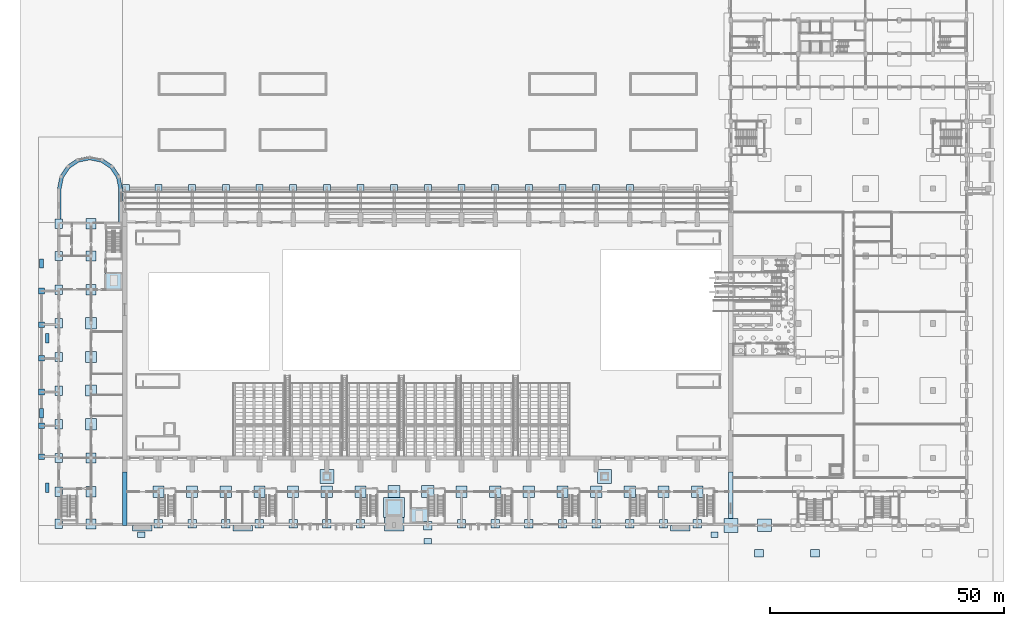
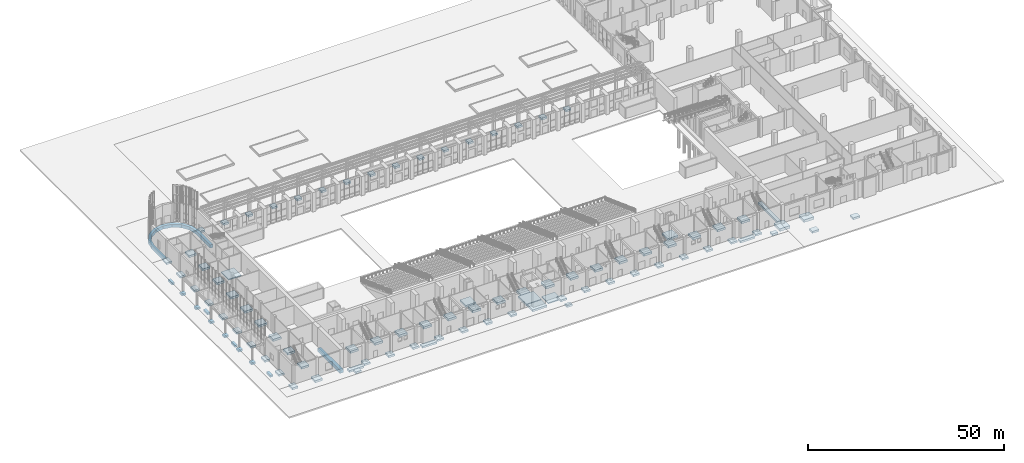
# One storey, part 1 of 70: 98 footings.
"""IFC4 building model written with IfcOpenShell, lengths in metres."""

from ifc_helpers import new_model, si_unit, direction, frame, origin, origin_2d, place, context, subcontext, project, spatial, polyline, rectangle, outline, extrude, material, layer, layer_set, type_object, element, save


model = new_model("IFC4")

# Units and contexts
model_context = context("Model", 3, precision=1e-05, world=origin(), true_north=direction((0.0, 1.0)))
body_context = subcontext(model_context, "Body", "Model", "MODEL_VIEW")
ifc_project = project(units=[si_unit("LENGTHUNIT", "METRE"), si_unit("AREAUNIT", "SQUARE_METRE"), si_unit("VOLUMEUNIT", "CUBIC_METRE"), si_unit("PLANEANGLEUNIT", "RADIAN"), si_unit("MASSUNIT", "GRAM", prefix="KILO")], contexts=[model_context])

# Site, building, storey
site_placement = place(None, origin())
site = spatial("IfcSite", under=ifc_project, at=site_placement, CompositionType="ELEMENT")
building_placement = place(site_placement, origin())
building = spatial("IfcBuilding", under=site, at=building_placement, Name="Vermilion Court Aquatics Centre", CompositionType="ELEMENT")
storey_placement = place(building_placement, origin())
storey = spatial("IfcBuildingStorey", under=building, at=storey_placement, Name="L00", CompositionType="ELEMENT", Elevation=0.0)

# Footings
ifc_material_1 = material(Name="Concrete 5000 psi", Category="concrete")
ifc_layer_1 = layer(ifc_material_1, 0.60009765625)
ifc_layer_set_1 = layer_set([ifc_layer_1], Name="Court arcade pad footing 1500")
footing_type_1 = type_object("IfcFootingType", Name="Court arcade pad footing 1500", PredefinedType="PAD_FOOTING", material=ifc_layer_set_1)
footing_1_placement = place(storey_placement, frame((0.0, 0.0, -1.050048828125)))
element("IfcFooting", 1, at=footing_1_placement, inside=storey, type_object=footing_type_1, Name="Court arcade pad footing 1", PredefinedType="PAD_FOOTING", context=body_context, shape_type="SweptSolid", body=[
    extrude(outline(polyline([(13.89990234375, 71.35009765625), (15.39990234375, 71.35009765625), (15.39990234375, 72.85009765625), (13.89990234375, 72.85009765625), (13.89990234375, 71.35009765625)])), origin(), (0.0, 0.0, 1.0), 0.60009765625),
])
footing_2_placement = place(storey_placement, frame((0.0, 0.0, -1.050048828125)))
element("IfcFooting", 2, at=footing_2_placement, inside=storey, type_object=footing_type_1, Name="Court arcade pad footing 2", PredefinedType="PAD_FOOTING", context=body_context, shape_type="SweptSolid", body=[
    extrude(outline(polyline([(20.85009765625, 71.35009765625), (22.35009765625, 71.35009765625), (22.35009765625, 72.85009765625), (20.85009765625, 72.85009765625), (20.85009765625, 71.35009765625)])), origin(), (0.0, 0.0, 1.0), 0.60009765625),
])
footing_3_placement = place(storey_placement, frame((0.0, 0.0, -1.050048828125)))
element("IfcFooting", 3, at=footing_3_placement, inside=storey, type_object=footing_type_1, Name="Court arcade pad footing 3", PredefinedType="PAD_FOOTING", context=body_context, shape_type="SweptSolid", body=[
    extrude(outline(polyline([(28.050048828125, 71.35009765625), (29.550048828125, 71.35009765625), (29.550048828125, 72.85009765625), (28.050048828125, 72.85009765625), (28.050048828125, 71.35009765625)])), origin(), (0.0, 0.0, 1.0), 0.60009765625),
])
footing_4_placement = place(storey_placement, frame((0.0, 0.0, -1.050048828125)))
element("IfcFooting", 4, at=footing_4_placement, inside=storey, type_object=footing_type_1, Name="Court arcade pad footing 4", PredefinedType="PAD_FOOTING", context=body_context, shape_type="SweptSolid", body=[
    extrude(outline(polyline([(35.25, 71.35009765625), (36.75, 71.35009765625), (36.75, 72.85009765625), (35.25, 72.85009765625), (35.25, 71.35009765625)])), origin(), (0.0, 0.0, 1.0), 0.60009765625),
])
footing_5_placement = place(storey_placement, frame((0.0, 0.0, -1.050048828125)))
element("IfcFooting", 5, at=footing_5_placement, inside=storey, type_object=footing_type_1, Name="Court arcade pad footing 5", PredefinedType="PAD_FOOTING", context=body_context, shape_type="SweptSolid", body=[
    extrude(outline(polyline([(42.449951171875, 71.35009765625), (43.949951171875, 71.35009765625), (43.949951171875, 72.85009765625), (42.449951171875, 72.85009765625), (42.449951171875, 71.35009765625)])), origin(), (0.0, 0.0, 1.0), 0.60009765625),
])
footing_6_placement = place(storey_placement, frame((0.0, 0.0, -1.050048828125)))
element("IfcFooting", 6, at=footing_6_placement, inside=storey, type_object=footing_type_1, Name="Court arcade pad footing 6", PredefinedType="PAD_FOOTING", context=body_context, shape_type="SweptSolid", body=[
    extrude(outline(polyline([(49.64990234375, 71.35009765625), (51.14990234375, 71.35009765625), (51.14990234375, 72.85009765625), (49.64990234375, 72.85009765625), (49.64990234375, 71.35009765625)])), origin(), (0.0, 0.0, 1.0), 0.60009765625),
])
footing_7_placement = place(storey_placement, frame((0.0, 0.0, -1.050048828125)))
element("IfcFooting", 7, at=footing_7_placement, inside=storey, type_object=footing_type_1, Name="Court arcade pad footing 7", PredefinedType="PAD_FOOTING", context=body_context, shape_type="SweptSolid", body=[
    extrude(outline(polyline([(56.85009765625, 71.35009765625), (58.35009765625, 71.35009765625), (58.35009765625, 72.85009765625), (56.85009765625, 72.85009765625), (56.85009765625, 71.35009765625)])), origin(), (0.0, 0.0, 1.0), 0.60009765625),
])
footing_8_placement = place(storey_placement, frame((0.0, 0.0, -1.050048828125)))
element("IfcFooting", 8, at=footing_8_placement, inside=storey, type_object=footing_type_1, Name="Court arcade pad footing 8", PredefinedType="PAD_FOOTING", context=body_context, shape_type="SweptSolid", body=[
    extrude(outline(polyline([(64.050048828125, 71.35009765625), (65.550048828125, 71.35009765625), (65.550048828125, 72.85009765625), (64.050048828125, 72.85009765625), (64.050048828125, 71.35009765625)])), origin(), (0.0, 0.0, 1.0), 0.60009765625),
])
footing_9_placement = place(storey_placement, frame((0.0, 0.0, -1.050048828125)))
element("IfcFooting", 9, at=footing_9_placement, inside=storey, type_object=footing_type_1, Name="Court arcade pad footing 9", PredefinedType="PAD_FOOTING", context=body_context, shape_type="SweptSolid", body=[
    extrude(outline(polyline([(71.25, 71.35009765625), (72.75, 71.35009765625), (72.75, 72.85009765625), (71.25, 72.85009765625), (71.25, 71.35009765625)])), origin(), (0.0, 0.0, 1.0), 0.60009765625),
])
footing_10_placement = place(storey_placement, frame((0.0, 0.0, -1.050048828125)))
element("IfcFooting", 10, at=footing_10_placement, inside=storey, type_object=footing_type_1, Name="Court arcade pad footing 10", PredefinedType="PAD_FOOTING", context=body_context, shape_type="SweptSolid", body=[
    extrude(outline(polyline([(78.449951171875, 71.35009765625), (79.949951171875, 71.35009765625), (79.949951171875, 72.85009765625), (78.449951171875, 72.85009765625), (78.449951171875, 71.35009765625)])), origin(), (0.0, 0.0, 1.0), 0.60009765625),
])
footing_11_placement = place(storey_placement, frame((0.0, 0.0, -1.050048828125)))
element("IfcFooting", 11, at=footing_11_placement, inside=storey, type_object=footing_type_1, Name="Court arcade pad footing 11", PredefinedType="PAD_FOOTING", context=body_context, shape_type="SweptSolid", body=[
    extrude(outline(polyline([(85.64990234375, 71.35009765625), (87.14990234375, 71.35009765625), (87.14990234375, 72.85009765625), (85.64990234375, 72.85009765625), (85.64990234375, 71.35009765625)])), origin(), (0.0, 0.0, 1.0), 0.60009765625),
])
footing_12_placement = place(storey_placement, frame((0.0, 0.0, -1.050048828125)))
element("IfcFooting", 12, at=footing_12_placement, inside=storey, type_object=footing_type_1, Name="Court arcade pad footing 12", PredefinedType="PAD_FOOTING", context=body_context, shape_type="SweptSolid", body=[
    extrude(outline(polyline([(92.85009765625, 71.35009765625), (94.35009765625, 71.35009765625), (94.35009765625, 72.85009765625), (92.85009765625, 72.85009765625), (92.85009765625, 71.35009765625)])), origin(), (0.0, 0.0, 1.0), 0.60009765625),
])
footing_13_placement = place(storey_placement, frame((0.0, 0.0, -1.050048828125)))
element("IfcFooting", 13, at=footing_13_placement, inside=storey, type_object=footing_type_1, Name="Court arcade pad footing 13", PredefinedType="PAD_FOOTING", context=body_context, shape_type="SweptSolid", body=[
    extrude(outline(polyline([(100.050048828125, 71.35009765625), (101.550048828125, 71.35009765625), (101.550048828125, 72.85009765625), (100.050048828125, 72.85009765625), (100.050048828125, 71.35009765625)])), origin(), (0.0, 0.0, 1.0), 0.60009765625),
])
footing_14_placement = place(storey_placement, frame((0.0, 0.0, -1.050048828125)))
element("IfcFooting", 14, at=footing_14_placement, inside=storey, type_object=footing_type_1, Name="Court arcade pad footing 14", PredefinedType="PAD_FOOTING", context=body_context, shape_type="SweptSolid", body=[
    extrude(outline(polyline([(107.25, 71.35009765625), (108.75, 71.35009765625), (108.75, 72.85009765625), (107.25, 72.85009765625), (107.25, 71.35009765625)])), origin(), (0.0, 0.0, 1.0), 0.60009765625),
])
footing_15_placement = place(storey_placement, frame((0.0, 0.0, -1.050048828125)))
element("IfcFooting", 15, at=footing_15_placement, inside=storey, type_object=footing_type_1, Name="Court arcade pad footing 15", PredefinedType="PAD_FOOTING", context=body_context, shape_type="SweptSolid", body=[
    extrude(outline(polyline([(114.449951171875, 71.35009765625), (115.949951171875, 71.35009765625), (115.949951171875, 72.85009765625), (114.449951171875, 72.85009765625), (114.449951171875, 71.35009765625)])), origin(), (0.0, 0.0, 1.0), 0.60009765625),
])
footing_16_placement = place(storey_placement, frame((0.0, 0.0, -1.050048828125)))
element("IfcFooting", 16, at=footing_16_placement, inside=storey, type_object=footing_type_1, Name="Court arcade pad footing 16", PredefinedType="PAD_FOOTING", context=body_context, shape_type="SweptSolid", body=[
    extrude(outline(polyline([(121.64990234375, 71.35009765625), (123.14990234375, 71.35009765625), (123.14990234375, 72.85009765625), (121.64990234375, 72.85009765625), (121.64990234375, 71.35009765625)])), origin(), (0.0, 0.0, 1.0), 0.60009765625),
])
ifc_material_2 = material(Name="Concrete 5000 psi", Category="concrete")
ifc_layer_2 = layer(ifc_material_2, 0.60009765625)
ifc_layer_set_2 = layer_set([ifc_layer_2], Name="Foyer canopy pad footing 1200")
footing_type_2 = type_object("IfcFootingType", Name="Foyer canopy pad footing 1200", PredefinedType="PAD_FOOTING", material=ifc_layer_set_2)
for number, where, z_axis, x_axis, name in (
    (17, (-3.39990234375, 14.699951171875, -1.050048828125), (0.0, 0.0, 1.0), (1.0, 0.0, 0.0), "Foyer canopy pad footing"),
    (18, (-3.39990234375, 21.300048828125, -1.050048828125), (0.0, 0.0, 1.0), (1.0, 0.0, 0.0), "Foyer canopy pad footing"),
    (19, (-3.39990234375, 28.5, -1.050048828125), (0.0, 0.0, 1.0), (1.0, 0.0, 0.0), "Foyer canopy pad footing"),
    (20, (-3.39990234375, 35.699951171875, -1.050048828125), (0.0, 0.0, 1.0), (1.0, 0.0, 0.0), "Foyer canopy pad footing"),
    (21, (-3.39990234375, 42.89990234375, -1.050048828125), (0.0, 0.0, 1.0), (1.0, 0.0, 0.0), "Foyer canopy pad footing"),
    (22, (-3.39990234375, 50.10009765625, -1.050048828125), (0.0, 0.0, 1.0), (1.0, 0.0, 0.0), "Foyer canopy pad footing"),
):
    element("IfcFooting", number, at=place(storey_placement, frame(where, z_axis=z_axis, x_axis=x_axis)), inside=storey, type_object=footing_type_2, Name=name, PredefinedType="PAD_FOOTING", context=body_context, shape_type="SweptSolid", body=[
        extrude(rectangle(XDim=1.199951171875, YDim=1.199951171875, at=origin_2d()), origin(), (0.0, 0.0, 1.0), 0.60009765625),
    ])
ifc_material_3 = material(Name="Concrete 5000 psi", Category="concrete")
ifc_layer_3 = layer(ifc_material_3, 1.0)
ifc_layer_set_3 = layer_set([ifc_layer_3], Name="Foyer end wall footing 1000")
footing_type_3 = type_object("IfcFootingType", Name="Foyer end wall footing 1000", PredefinedType="STRIP_FOOTING", material=ifc_layer_set_3)
footing_17_placement = place(storey_placement, frame((14.39990234375, 5.699951171875, -1.405029296875), z_axis=(0.0, 0.0, 1.0), x_axis=(1.0, 0.0, 0.0)))
element("IfcFooting", 23, at=footing_17_placement, inside=storey, type_object=footing_type_3, Name="Foyer end wall footing", PredefinedType="STRIP_FOOTING", context=body_context, shape_type="SweptSolid", body=[
    extrude(rectangle(XDim=1.0, YDim=11.39990234375, at=origin_2d()), origin(), (0.0, 0.0, 1.0), 1.0),
])
ifc_material_4 = material(Name="Concrete 5000 psi", Category="concrete")
ifc_layer_4 = layer(ifc_material_4, 0.60009765625)
ifc_layer_set_4 = layer_set([ifc_layer_4], Name="Foyer facade pad footing 1600")
footing_type_4 = type_object("IfcFootingType", Name="Foyer facade pad footing 1600", PredefinedType="PAD_FOOTING", material=ifc_layer_set_4)
for number, where, z_axis, x_axis, name in (
    (24, (0.300048828125, 0.300048828125, -1.050048828125), (0.0, 0.0, 1.0), (1.0, 0.0, 0.0), "Foyer pad footing 1"),
    (25, (0.300048828125, 7.199951171875, -1.050048828125), (0.0, 0.0, 1.0), (1.0, 0.0, 0.0), "Foyer pad footing 2"),
    (26, (0.300048828125, 14.39990234375, -1.050048828125), (0.0, 0.0, 1.0), (1.0, 0.0, 0.0), "Foyer pad footing 3"),
    (27, (0.300048828125, 21.60009765625, -1.050048828125), (0.0, 0.0, 1.0), (1.0, 0.0, 0.0), "Foyer pad footing 4"),
    (28, (0.300048828125, 28.800048828125, -1.050048828125), (0.0, 0.0, 1.0), (1.0, 0.0, 0.0), "Foyer pad footing 5"),
    (29, (0.300048828125, 36.0, -1.050048828125), (0.0, 0.0, 1.0), (1.0, 0.0, 0.0), "Foyer pad footing 6"),
    (30, (0.300048828125, 43.199951171875, -1.050048828125), (0.0, 0.0, 1.0), (1.0, 0.0, 0.0), "Foyer pad footing 7"),
    (31, (0.300048828125, 50.39990234375, -1.050048828125), (0.0, 0.0, 1.0), (1.0, 0.0, 0.0), "Foyer pad footing 8"),
    (32, (0.300048828125, 57.60009765625, -1.050048828125), (0.0, 0.0, 1.0), (1.0, 0.0, 0.0), "Foyer pad footing 9"),
    (33, (0.300048828125, 64.5, -1.050048828125), (0.0, 0.0, 1.0), (1.0, 0.0, 0.0), "Foyer pad footing 10"),
):
    element("IfcFooting", number, at=place(storey_placement, frame(where, z_axis=z_axis, x_axis=x_axis)), inside=storey, type_object=footing_type_4, Name=name, PredefinedType="PAD_FOOTING", context=body_context, shape_type="SweptSolid", body=[
        extrude(rectangle(XDim=1.60009765625, YDim=2.0, at=origin_2d()), origin(), (0.0, 0.0, 1.0), 0.60009765625),
    ])
ifc_material_5 = material(Name="Concrete 5000 psi", Category="concrete")
ifc_layer_5 = layer(ifc_material_5, 0.64990234375)
ifc_layer_set_5 = layer_set([ifc_layer_5], Name="Foyer interior pad footing 2200")
footing_type_5 = type_object("IfcFootingType", Name="Foyer interior pad footing 2200", PredefinedType="PAD_FOOTING", material=ifc_layer_set_5)
for number, where, z_axis, x_axis, name in (
    (34, (7.199951171875, 0.300048828125, -1.099853515625), (0.0, 0.0, 1.0), (1.0, 0.0, 0.0), "Foyer pad footing 11"),
    (35, (7.199951171875, 7.199951171875, -1.054931640625), (0.0, 0.0, 1.0), (1.0, 0.0, 0.0), "Foyer pad footing 12"),
    (36, (7.199951171875, 14.39990234375, -1.054931640625), (0.0, 0.0, 1.0), (1.0, 0.0, 0.0), "Foyer pad footing 13"),
    (37, (7.199951171875, 50.39990234375, -1.054931640625), (0.0, 0.0, 1.0), (1.0, 0.0, 0.0), "Foyer pad footing 18"),
    (38, (7.199951171875, 57.60009765625, -1.054931640625), (0.0, 0.0, 1.0), (1.0, 0.0, 0.0), "Foyer pad footing 19"),
    (39, (7.199951171875, 64.5, -1.099853515625), (0.0, 0.0, 1.0), (1.0, 0.0, 0.0), "Foyer pad footing 20"),
):
    element("IfcFooting", number, at=place(storey_placement, frame(where, z_axis=z_axis, x_axis=x_axis)), inside=storey, type_object=footing_type_5, Name=name, PredefinedType="PAD_FOOTING", context=body_context, shape_type="SweptSolid", body=[
        extrude(rectangle(XDim=2.199951171875, YDim=2.199951171875, at=origin_2d()), origin(), (0.0, 0.0, 1.0), 0.64990234375),
    ])
ifc_material_6 = material(Name="Concrete 5000 psi", Category="concrete")
ifc_layer_6 = layer(ifc_material_6, 0.300048828125)
ifc_layer_set_6 = layer_set([ifc_layer_6], Name="Foyer lift pit raft 300")
footing_type_6 = type_object("IfcFootingType", Name="Foyer lift pit raft 300", PredefinedType="FOOTING_BEAM", material=ifc_layer_set_6)
footing_18_placement = place(storey_placement, frame((12.0, 52.14990234375, -1.5), z_axis=(0.0, 0.0, 1.0), x_axis=(1.0, 0.0, 0.0)))
element("IfcFooting", 40, at=footing_18_placement, inside=storey, type_object=footing_type_6, Name="Foyer lift pit raft", PredefinedType="FOOTING_BEAM", context=body_context, shape_type="SweptSolid", body=[
    extrude(rectangle(XDim=3.75, YDim=3.85009765625, at=origin_2d()), origin(), (0.0, 0.0, 1.0), 0.300048828125),
])
ifc_material_7 = material(Name="Concrete 5000 psi", Category="concrete")
ifc_layer_7 = layer(ifc_material_7, 0.60009765625)
ifc_layer_set_7 = layer_set([ifc_layer_7], Name="Foyer pad footing 2000")
footing_type_7 = type_object("IfcFootingType", Name="Foyer pad footing 2000", PredefinedType="PAD_FOOTING", material=ifc_layer_set_7)
for number, where, z_axis, x_axis, name in (
    (41, (-2.199951171875, 8.0, -1.050048828125), (0.0, 0.0, 1.0), (1.0, 0.0, 0.0), "Plaza sub-base pad 1"),
    (42, (-3.39990234375, 24.0, -1.050048828125), (0.0, 0.0, 1.0), (1.0, 0.0, 0.0), "Plaza sub-base pad 2"),
    (43, (-2.199951171875, 40.0, -1.050048828125), (0.0, 0.0, 1.0), (1.0, 0.0, 0.0), "Plaza sub-base pad 3"),
    (44, (-3.39990234375, 56.0, -1.050048828125), (0.0, 0.0, 1.0), (1.0, 0.0, 0.0), "Plaza sub-base pad 4"),
):
    element("IfcFooting", number, at=place(storey_placement, frame(where, z_axis=z_axis, x_axis=x_axis)), inside=storey, type_object=footing_type_7, Name=name, PredefinedType="PAD_FOOTING", context=body_context, shape_type="SweptSolid", body=[
        extrude(rectangle(XDim=0.800048828125, YDim=2.0, at=origin_2d()), origin(), (0.0, 0.0, 1.0), 0.60009765625),
    ])
ifc_material_8 = material(Name="Concrete 5000 psi", Category="concrete")
ifc_layer_8 = layer(ifc_material_8, 0.64990234375)
ifc_layer_set_8 = layer_set([ifc_layer_8], Name="Foyer void edge pad footing 2400")
footing_type_8 = type_object("IfcFootingType", Name="Foyer void edge pad footing 2400", PredefinedType="PAD_FOOTING", material=ifc_layer_set_8)
for number, where, z_axis, x_axis, name in (
    (45, (7.199951171875, 21.60009765625, -1.054931640625), (0.0, 0.0, 1.0), (1.0, 0.0, 0.0), "Foyer pad footing 14"),
    (46, (7.199951171875, 28.800048828125, -1.054931640625), (0.0, 0.0, 1.0), (1.0, 0.0, 0.0), "Foyer pad footing 15"),
    (47, (7.199951171875, 36.0, -1.054931640625), (0.0, 0.0, 1.0), (1.0, 0.0, 0.0), "Foyer pad footing 16"),
    (48, (7.199951171875, 43.199951171875, -1.054931640625), (0.0, 0.0, 1.0), (1.0, 0.0, 0.0), "Foyer pad footing 17"),
):
    element("IfcFooting", number, at=place(storey_placement, frame(where, z_axis=z_axis, x_axis=x_axis)), inside=storey, type_object=footing_type_8, Name=name, PredefinedType="PAD_FOOTING", context=body_context, shape_type="SweptSolid", body=[
        extrude(rectangle(XDim=2.39990234375, YDim=2.39990234375, at=origin_2d()), origin(), (0.0, 0.0, 1.0), 0.64990234375),
    ])
ifc_material_9 = material(Name="Concrete 5000 psi", Category="concrete")
ifc_layer_9 = layer(ifc_material_9, 0.60009765625)
ifc_layer_set_9 = layer_set([ifc_layer_9], Name="Podium apron sub-base pad 2000x1600x600")
footing_type_9 = type_object("IfcFootingType", Name="Podium apron sub-base pad 2000x1600x600", PredefinedType="PAD_FOOTING", material=ifc_layer_set_9)
for number, where, z_axis, x_axis, name in (
    (49, (150.0, -6.0, -0.97998046875), (0.0, 0.0, 1.0), (1.0, 0.0, 0.0), "Apron sub-base pad 1"),
    (50, (162.0, -6.0, -0.97998046875), (0.0, 0.0, 1.0), (1.0, 0.0, 0.0), "Apron sub-base pad 2"),
):
    element("IfcFooting", number, at=place(storey_placement, frame(where, z_axis=z_axis, x_axis=x_axis)), inside=storey, type_object=footing_type_9, Name=name, PredefinedType="PAD_FOOTING", context=body_context, shape_type="SweptSolid", body=[
        extrude(rectangle(XDim=2.0, YDim=1.60009765625, at=origin_2d()), origin(), (0.0, 0.0, 1.0), 0.60009765625),
    ])
ifc_material_10 = material(Name="Concrete 5000 psi", Category="concrete")
ifc_layer_10 = layer(ifc_material_10, 0.800048828125)
ifc_layer_set_10 = layer_set([ifc_layer_10], Name="Podium pad footing 3000x2600x800")
footing_type_10 = type_object("IfcFootingType", Name="Podium pad footing 3000x2600x800", PredefinedType="PAD_FOOTING", material=ifc_layer_set_10)
footing_19_placement = place(storey_placement, frame((151.199951171875, 0.0, -1.18017578125), z_axis=(0.0, 0.0, 1.0), x_axis=(1.0, 0.0, 0.0)))
element("IfcFooting", 51, at=footing_19_placement, inside=storey, type_object=footing_type_10, Name="Pad footing 22/A", PredefinedType="PAD_FOOTING", context=body_context, shape_type="SweptSolid", body=[
    extrude(rectangle(XDim=3.0, YDim=2.60009765625, at=origin_2d()), origin(), (0.0, 0.0, 1.0), 0.800048828125),
])
ifc_material_11 = material(Name="Concrete 5000 psi", Category="concrete")
ifc_layer_11 = layer(ifc_material_11, 0.800048828125)
ifc_layer_set_11 = layer_set([ifc_layer_11], Name="Podium pad footing 3000x3000x800")
footing_type_11 = type_object("IfcFootingType", Name="Podium pad footing 3000x3000x800", PredefinedType="PAD_FOOTING", material=ifc_layer_set_11)
footing_20_placement = place(storey_placement, frame((144.0, 0.0, -1.2998046875), z_axis=(0.0, 0.0, 1.0), x_axis=(1.0, 0.0, 0.0)))
element("IfcFooting", 52, at=footing_20_placement, inside=storey, type_object=footing_type_11, Name="Pad footing 21/A", PredefinedType="PAD_FOOTING", context=body_context, shape_type="SweptSolid", body=[
    extrude(rectangle(XDim=3.0, YDim=3.0, at=origin_2d()), origin(), (0.0, 0.0, 1.0), 0.800048828125),
])
ifc_material_12 = material(Name="Concrete 5000 psi", Category="concrete")
ifc_layer_12 = layer(ifc_material_12, 0.60009765625)
ifc_layer_set_12 = layer_set([ifc_layer_12], Name="Podium strip footing 1000x600")
footing_type_12 = type_object("IfcFootingType", Name="Podium strip footing 1000x600", PredefinedType="STRIP_FOOTING", material=ifc_layer_set_12)
footing_21_placement = place(storey_placement, frame((144.0, 6.449951171875, -0.97998046875), z_axis=(0.0, 0.0, 1.0), x_axis=(1.0, 0.0, 0.0)))
element("IfcFooting", 53, at=footing_21_placement, inside=storey, type_object=footing_type_12, Name="Strip footing, wing west end wall", PredefinedType="STRIP_FOOTING", context=body_context, shape_type="SweptSolid", body=[
    extrude(rectangle(XDim=1.0, YDim=9.89990234375, at=origin_2d()), origin(), (0.0, 0.0, 1.0), 0.60009765625),
])
ifc_material_13 = material(Name="Concrete 5000 psi", Category="concrete")
ifc_layer_13 = layer(ifc_material_13, 1.0)
ifc_layer_set_13 = layer_set([ifc_layer_13], Name="Rotunda wall footing 800")
footing_type_13 = type_object("IfcFootingType", Name="Rotunda wall footing 800", PredefinedType="STRIP_FOOTING", material=ifc_layer_set_13)
footing_22_placement = place(storey_placement, frame((0.0, 0.0, -1.405029296875)))
element("IfcFooting", 54, at=footing_22_placement, inside=storey, type_object=footing_type_13, Name="Rotunda wall footing", PredefinedType="STRIP_FOOTING", context=body_context, shape_type="SweptSolid", body=[
    extrude(outline(polyline([(13.10009765625, 64.800048828125), (13.10009765625, 71.9501953125), (12.61767578125, 74.346923828125), (11.28759765625, 76.337646484375), (9.297607421875, 77.66748046875), (6.949951171875, 78.13427734375), (4.6025390625, 77.66748046875), (2.6123046875, 76.337646484375), (1.2822265625, 74.346923828125), (0.800048828125, 71.9501953125), (0.800048828125, 65.5), (0.0, 65.5), (0.0, 72.0), (0.529052734375, 74.65966796875), (2.03564453125, 76.914306640625), (4.290283203125, 78.4208984375), (6.949951171875, 78.949951171875), (9.609619140625, 78.4208984375), (11.864501953125, 76.914306640625), (13.37109375, 74.65966796875), (13.89990234375, 72.0), (13.89990234375, 64.800048828125), (13.10009765625, 64.800048828125)])), origin(), (0.0, 0.0, 1.0), 1.0),
])
ifc_material_14 = material(Name="Concrete 5000 psi", Category="concrete")
ifc_layer_14 = layer(ifc_material_14, 0.60009765625)
ifc_layer_set_14 = layer_set([ifc_layer_14], Name="South bay pad footing 4200x1200")
footing_type_14 = type_object("IfcFootingType", Name="South bay pad footing 4200x1200", PredefinedType="PAD_FOOTING", material=ifc_layer_set_14)
for number, where, z_axis, x_axis, name in (
    (55, (18.113037109375, -0.60009765625, -1.10009765625), (0.0, 0.0, 1.0), (1.0, 0.0, 0.0), "South bay pad footing"),
    (56, (39.60009765625, -0.60009765625, -1.10009765625), (0.0, 0.0, 1.0), (1.0, 0.0, 0.0), "South bay pad footing"),
    (57, (133.199951171875, -0.60009765625, -1.10009765625), (0.0, 0.0, 1.0), (1.0, 0.0, 0.0), "South bay pad footing"),
):
    element("IfcFooting", number, at=place(storey_placement, frame(where, z_axis=z_axis, x_axis=x_axis)), inside=storey, type_object=footing_type_14, Name=name, PredefinedType="PAD_FOOTING", context=body_context, shape_type="SweptSolid", body=[
        extrude(rectangle(XDim=4.199951171875, YDim=1.199951171875, at=origin_2d()), origin(), (0.0, 0.0, 1.0), 0.60009765625),
    ])
ifc_material_15 = material(Name="Concrete 5000 psi", Category="concrete")
ifc_layer_15 = layer(ifc_material_15, 0.60009765625)
ifc_layer_set_15 = layer_set([ifc_layer_15], Name="South chimney breast pad footing 4200x2900")
footing_type_15 = type_object("IfcFootingType", Name="South chimney breast pad footing 4200x2900", PredefinedType="PAD_FOOTING", material=ifc_layer_set_15)
footing_23_placement = place(storey_placement, frame((72.0, 0.25, -1.10009765625), z_axis=(0.0, 0.0, 1.0), x_axis=(1.0, 0.0, 0.0)))
element("IfcFooting", 58, at=footing_23_placement, inside=storey, type_object=footing_type_15, Name="Chimney breast pad footing", PredefinedType="PAD_FOOTING", context=body_context, shape_type="SweptSolid", body=[
    extrude(rectangle(XDim=4.199951171875, YDim=2.89990234375, at=origin_2d()), origin(), (0.0, 0.0, 1.0), 0.60009765625),
])
ifc_material_16 = material(Name="Concrete 5000 psi", Category="concrete")
ifc_layer_16 = layer(ifc_material_16, 0.60009765625)
ifc_layer_set_16 = layer_set([ifc_layer_16], Name="South facade pad footing 1800")
footing_type_16 = type_object("IfcFootingType", Name="South facade pad footing 1800", PredefinedType="PAD_FOOTING", material=ifc_layer_set_16)
for number, where, z_axis, x_axis, name in (
    (59, (21.60009765625, 0.300048828125, -1.050048828125), (0.0, 0.0, 1.0), (1.0, 0.0, 0.0), "Pad footing A1"),
    (60, (28.800048828125, 0.300048828125, -1.050048828125), (0.0, 0.0, 1.0), (1.0, 0.0, 0.0), "Pad footing A2"),
    (61, (36.0, 0.300048828125, -1.050048828125), (0.0, 0.0, 1.0), (1.0, 0.0, 0.0), "Pad footing A3"),
    (62, (43.199951171875, 0.300048828125, -1.050048828125), (0.0, 0.0, 1.0), (1.0, 0.0, 0.0), "Pad footing A4"),
    (63, (50.39990234375, 0.300048828125, -1.050048828125), (0.0, 0.0, 1.0), (1.0, 0.0, 0.0), "Pad footing A5"),
    (64, (57.60009765625, 0.300048828125, -1.050048828125), (0.0, 0.0, 1.0), (1.0, 0.0, 0.0), "Pad footing A6"),
    (65, (64.800048828125, 0.300048828125, -1.050048828125), (0.0, 0.0, 1.0), (1.0, 0.0, 0.0), "Pad footing A7"),
    (66, (79.199951171875, -0.10009765625, -1.050048828125), (0.0, 0.0, 1.0), (1.0, 0.0, 0.0), "Pad footing A9"),
    (67, (86.39990234375, 0.300048828125, -1.050048828125), (0.0, 0.0, 1.0), (1.0, 0.0, 0.0), "Pad footing A10"),
    (68, (93.60009765625, 0.300048828125, -1.050048828125), (0.0, 0.0, 1.0), (1.0, 0.0, 0.0), "Pad footing A11"),
    (69, (100.800048828125, 0.300048828125, -1.050048828125), (0.0, 0.0, 1.0), (1.0, 0.0, 0.0), "Pad footing A12"),
    (70, (108.0, 0.300048828125, -1.050048828125), (0.0, 0.0, 1.0), (1.0, 0.0, 0.0), "Pad footing A13"),
    (71, (115.199951171875, 0.300048828125, -1.050048828125), (0.0, 0.0, 1.0), (1.0, 0.0, 0.0), "Pad footing A14"),
    (72, (122.39990234375, 0.300048828125, -1.050048828125), (0.0, 0.0, 1.0), (1.0, 0.0, 0.0), "Pad footing A15"),
    (73, (129.60009765625, 0.300048828125, -1.050048828125), (0.0, 0.0, 1.0), (1.0, 0.0, 0.0), "Pad footing A16"),
    (74, (136.800048828125, 0.300048828125, -1.050048828125), (0.0, 0.0, 1.0), (1.0, 0.0, 0.0), "Pad footing A17"),
):
    element("IfcFooting", number, at=place(storey_placement, frame(where, z_axis=z_axis, x_axis=x_axis)), inside=storey, type_object=footing_type_16, Name=name, PredefinedType="PAD_FOOTING", context=body_context, shape_type="SweptSolid", body=[
        extrude(rectangle(XDim=1.800048828125, YDim=1.800048828125, at=origin_2d()), origin(), (0.0, 0.0, 1.0), 0.60009765625),
    ])
ifc_material_17 = material(Name="Concrete 5000 psi", Category="concrete")
ifc_layer_17 = layer(ifc_material_17, 0.699951171875)
ifc_layer_set_17 = layer_set([ifc_layer_17], Name="South interior pad footing 2400")
footing_type_17 = type_object("IfcFootingType", Name="South interior pad footing 2400", PredefinedType="PAD_FOOTING", material=ifc_layer_set_17)
for number, where, z_axis, x_axis, name in (
    (75, (21.60009765625, 7.199951171875, -1.10498046875), (0.0, 0.0, 1.0), (1.0, 0.0, 0.0), "Pad footing B1"),
    (76, (28.800048828125, 7.199951171875, -1.10498046875), (0.0, 0.0, 1.0), (1.0, 0.0, 0.0), "Pad footing B2"),
    (77, (36.0, 7.199951171875, -1.10498046875), (0.0, 0.0, 1.0), (1.0, 0.0, 0.0), "Pad footing B3"),
    (78, (43.199951171875, 7.199951171875, -1.10498046875), (0.0, 0.0, 1.0), (1.0, 0.0, 0.0), "Pad footing B4"),
    (79, (50.39990234375, 7.199951171875, -1.10498046875), (0.0, 0.0, 1.0), (1.0, 0.0, 0.0), "Pad footing B5"),
    (80, (57.60009765625, 7.199951171875, -1.10498046875), (0.0, 0.0, 1.0), (1.0, 0.0, 0.0), "Pad footing B6"),
    (81, (64.800048828125, 7.199951171875, -1.10498046875), (0.0, 0.0, 1.0), (1.0, 0.0, 0.0), "Pad footing B7"),
    (82, (86.39990234375, 7.199951171875, -1.10498046875), (0.0, 0.0, 1.0), (1.0, 0.0, 0.0), "Pad footing B10"),
    (83, (93.60009765625, 7.199951171875, -1.10498046875), (0.0, 0.0, 1.0), (1.0, 0.0, 0.0), "Pad footing B11"),
    (84, (100.800048828125, 7.199951171875, -1.10498046875), (0.0, 0.0, 1.0), (1.0, 0.0, 0.0), "Pad footing B12"),
    (85, (108.0, 7.199951171875, -1.10498046875), (0.0, 0.0, 1.0), (1.0, 0.0, 0.0), "Pad footing B13"),
    (86, (115.199951171875, 7.199951171875, -1.10498046875), (0.0, 0.0, 1.0), (1.0, 0.0, 0.0), "Pad footing B14"),
    (87, (122.39990234375, 7.199951171875, -1.10498046875), (0.0, 0.0, 1.0), (1.0, 0.0, 0.0), "Pad footing B15"),
    (88, (129.60009765625, 7.199951171875, -1.10498046875), (0.0, 0.0, 1.0), (1.0, 0.0, 0.0), "Pad footing B16"),
    (89, (136.800048828125, 7.199951171875, -1.10498046875), (0.0, 0.0, 1.0), (1.0, 0.0, 0.0), "Pad footing B17"),
):
    element("IfcFooting", number, at=place(storey_placement, frame(where, z_axis=z_axis, x_axis=x_axis)), inside=storey, type_object=footing_type_17, Name=name, PredefinedType="PAD_FOOTING", context=body_context, shape_type="SweptSolid", body=[
        extrude(rectangle(XDim=2.39990234375, YDim=2.39990234375, at=origin_2d()), origin(), (0.0, 0.0, 1.0), 0.699951171875),
    ])
ifc_material_18 = material(Name="Concrete 5000 psi", Category="concrete")
ifc_layer_18 = layer(ifc_material_18, 0.75)
ifc_layer_set_18 = layer_set([ifc_layer_18], Name="South lift core pad footing 2600")
footing_type_18 = type_object("IfcFootingType", Name="South lift core pad footing 2600", PredefinedType="PAD_FOOTING", material=ifc_layer_set_18)
for number, where, z_axis, x_axis, name in (
    (90, (72.0, 7.199951171875, -1.155029296875), (0.0, 0.0, 1.0), (1.0, 0.0, 0.0), "Pad footing B8"),
    (91, (79.199951171875, 7.199951171875, -1.155029296875), (0.0, 0.0, 1.0), (1.0, 0.0, 0.0), "Pad footing B9"),
):
    element("IfcFooting", number, at=place(storey_placement, frame(where, z_axis=z_axis, x_axis=x_axis)), inside=storey, type_object=footing_type_18, Name=name, PredefinedType="PAD_FOOTING", context=body_context, shape_type="SweptSolid", body=[
        extrude(rectangle(XDim=2.60009765625, YDim=2.60009765625, at=origin_2d()), origin(), (0.0, 0.0, 1.0), 0.75),
    ])
ifc_material_19 = material(Name="Concrete 5000 psi", Category="concrete")
ifc_layer_19 = layer(ifc_material_19, 0.300048828125)
ifc_layer_set_19 = layer_set([ifc_layer_19], Name="South lift pit raft 300")
footing_type_19 = type_object("IfcFootingType", Name="South lift pit raft 300", PredefinedType="FOOTING_BEAM", material=ifc_layer_set_19)
footing_24_placement = place(storey_placement, frame((77.375, 2.08740234375, -1.5), z_axis=(0.0, 0.0, 1.0), x_axis=(1.0, 0.0, 0.0)))
element("IfcFooting", 92, at=footing_24_placement, inside=storey, type_object=footing_type_19, Name="Lift pit raft", PredefinedType="FOOTING_BEAM", context=body_context, shape_type="SweptSolid", body=[
    extrude(rectangle(XDim=3.89990234375, YDim=3.375, at=origin_2d()), origin(), (0.0, 0.0, 1.0), 0.300048828125),
])
ifc_material_20 = material(Name="Concrete 5000 psi", Category="concrete")
ifc_layer_20 = layer(ifc_material_20, 0.60009765625)
ifc_layer_set_20 = layer_set([ifc_layer_20], Name="South stack pad footing 4500x4200")
footing_type_20 = type_object("IfcFootingType", Name="South stack pad footing 4500x4200", PredefinedType="PAD_FOOTING", material=ifc_layer_set_20)
footing_25_placement = place(storey_placement, frame((72.0, 3.800048828125, -1.005126953125), z_axis=(0.0, 0.0, 1.0), x_axis=(1.0, 0.0, 0.0)))
element("IfcFooting", 93, at=footing_25_placement, inside=storey, type_object=footing_type_20, Name="Stack pad footing", PredefinedType="PAD_FOOTING", context=body_context, shape_type="SweptSolid", body=[
    extrude(rectangle(XDim=4.5, YDim=4.199951171875, at=origin_2d()), origin(), (0.0, 0.0, 1.0), 0.60009765625),
])
ifc_material_21 = material(Name="Concrete 5000 psi", Category="concrete")
ifc_layer_21 = layer(ifc_material_21, 0.60009765625)
ifc_layer_set_21 = layer_set([ifc_layer_21], Name="South sub-base pad footing 1600x1200")
footing_type_21 = type_object("IfcFootingType", Name="South sub-base pad footing 1600x1200", PredefinedType="PAD_FOOTING", material=ifc_layer_set_21)
for number, where, z_axis, x_axis, name in (
    (94, (17.89990234375, -2.0, -1.050048828125), (0.0, 0.0, 1.0), (1.0, 0.0, 0.0), "Paving sub-base pad 1"),
    (95, (79.199951171875, -3.39990234375, -1.050048828125), (0.0, 0.0, 1.0), (1.0, 0.0, 0.0), "Paving sub-base pad 2"),
    (96, (140.5, -2.0, -1.050048828125), (0.0, 0.0, 1.0), (1.0, 0.0, 0.0), "Paving sub-base pad 3"),
):
    element("IfcFooting", number, at=place(storey_placement, frame(where, z_axis=z_axis, x_axis=x_axis)), inside=storey, type_object=footing_type_21, Name=name, PredefinedType="PAD_FOOTING", context=body_context, shape_type="SweptSolid", body=[
        extrude(rectangle(XDim=1.60009765625, YDim=1.199951171875, at=origin_2d()), origin(), (0.0, 0.0, 1.0), 0.60009765625),
    ])
ifc_material_22 = material(Name="Concrete 5000 psi", Category="concrete")
ifc_layer_22 = layer(ifc_material_22, 0.60009765625)
ifc_layer_set_22 = layer_set([ifc_layer_22], Name="South vent riser pad footing 3000")
footing_type_22 = type_object("IfcFootingType", Name="South vent riser pad footing 3000", PredefinedType="PAD_FOOTING", material=ifc_layer_set_22)
for number, where, z_axis, x_axis, name in (
    (97, (57.60009765625, 10.39990234375, -1.005126953125), (0.0, 0.0, 1.0), (1.0, 0.0, 0.0), "Stack pad footing"),
    (98, (117.0, 10.39990234375, -1.005126953125), (0.0, 0.0, 1.0), (1.0, 0.0, 0.0), "Stack pad footing"),
):
    element("IfcFooting", number, at=place(storey_placement, frame(where, z_axis=z_axis, x_axis=x_axis)), inside=storey, type_object=footing_type_22, Name=name, PredefinedType="PAD_FOOTING", context=body_context, shape_type="SweptSolid", body=[
        extrude(rectangle(XDim=3.0, YDim=3.0, at=origin_2d()), origin(), (0.0, 0.0, 1.0), 0.60009765625),
    ])

save(model, "model.ifc")
